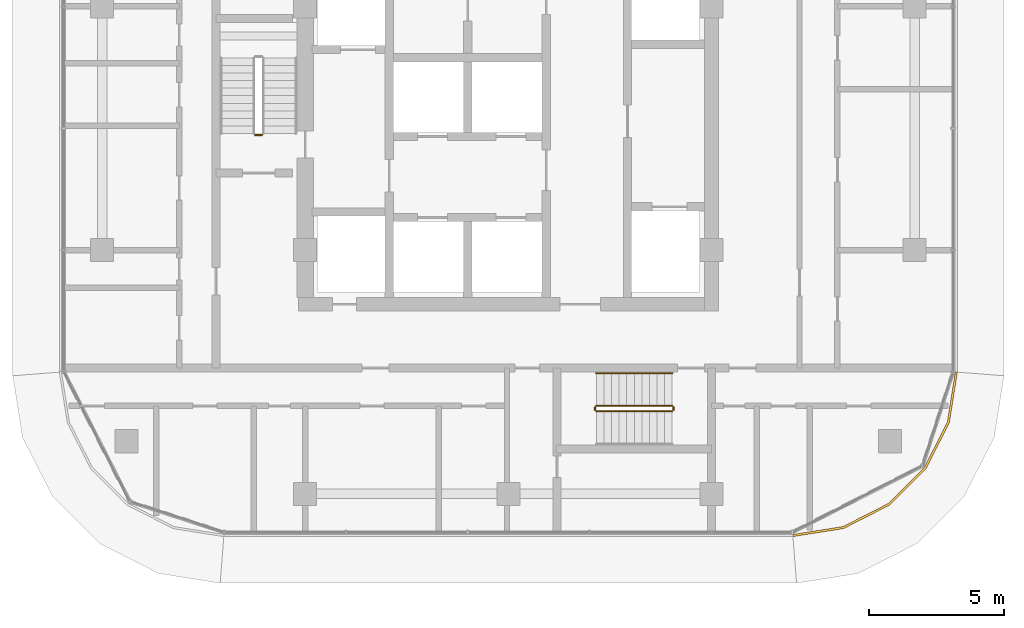
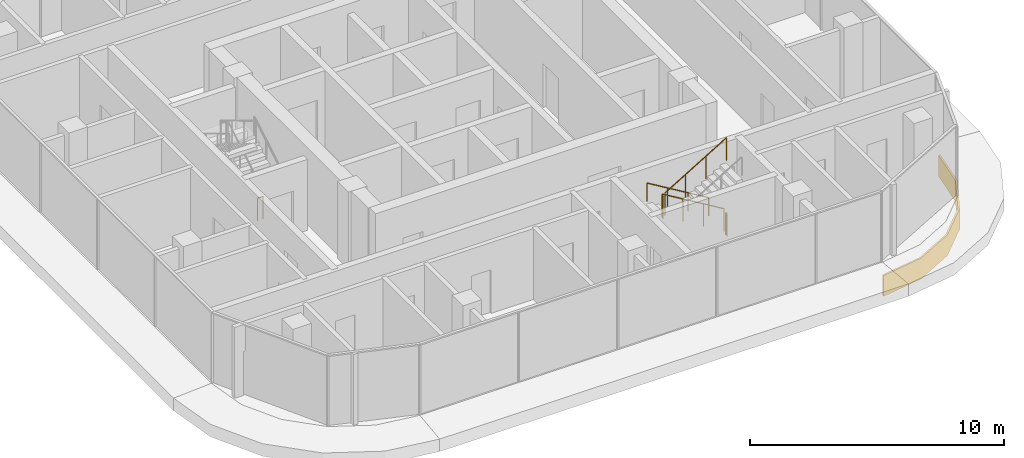
# One storey, part 35 of 36: 6 railings, 1 covering.
"""IFC4 building model written with IfcOpenShell, lengths in metres."""

import ifcopenshell
import ifcopenshell.guid

model = None  # the IFC model being written
_history = None  # IfcOwnerHistory: only IFC2X3 demands one
_inside = {}  # id of a spatial element -> (the spatial element, [elements in it])
_under = {}  # id of a project, library or spatial element -> (it, [spatial elements below it])
_declared = {}  # id of a project -> (the project, [libraries it declares])
_typed = {}  # id of a type object -> (the type object, [elements of that type])
_made_of = {}  # id of a material, layer set ... -> (it, [elements and type objects made of it])


def new_model(schema):
    """Start an empty IFC model of exactly this schema.

    Asked for "IFC4X3", IfcOpenShell would pick the latest addendum, in which some entities
    have other attributes; the version numbers below select the first issue.
    IFC2X3 requires an IfcOwnerHistory on every rooted entity: one is made here for all.
    """
    global model, _history
    if schema == "IFC4X3":
        model = ifcopenshell.file(schema_version=(4, 3, 0, 0))
    else:
        model = ifcopenshell.file(schema=schema)
    _inside.clear()
    _under.clear()
    _declared.clear()
    _typed.clear()
    _made_of.clear()
    _history = None
    if model.schema == "IFC2X3":
        org = make("IfcOrganization", Name="unknown")
        user = make(
            "IfcPersonAndOrganization",
            ThePerson=make("IfcPerson", FamilyName="unknown"),
            TheOrganization=org,
        )
        app = make(
            "IfcApplication",
            ApplicationDeveloper=org,
            Version="unknown",
            ApplicationFullName="unknown",
            ApplicationIdentifier="unknown",
        )
        _history = make(
            "IfcOwnerHistory",
            OwningUser=user,
            OwningApplication=app,
            ChangeAction="ADDED",
            CreationDate=0,
        )
    return model


def make(cls, **values):
    """One entity of the class cls with the attributes given. An attribute that is None is left unset."""
    return model.create_entity(
        cls, **{name: value for name, value in values.items() if value is not None}
    )


def rooted(cls, **values):
    """An entity with a GlobalId (a new one), such as an element, a storey or a relation."""
    return make(cls, GlobalId=ifcopenshell.guid.new(), OwnerHistory=_history, **values)


def si_unit(unit_type, name, prefix=None):
    """IfcSIUnit, for example si_unit("LENGTHUNIT", "METRE", prefix="MILLI")."""
    return make("IfcSIUnit", UnitType=unit_type, Prefix=prefix, Name=name)


def assignment(units):
    """IfcUnitAssignment: the units of a project."""
    return None if units is None else make("IfcUnitAssignment", Units=units)


def point(xyz):
    """IfcCartesianPoint."""
    return None if xyz is None else make("IfcCartesianPoint", Coordinates=xyz)


def direction(xyz):
    """IfcDirection."""
    return None if xyz is None else make("IfcDirection", DirectionRatios=xyz)


def frame(location, z_axis=None, x_axis=None):
    """IfcAxis2Placement3D, a coordinate frame: its origin and axes. An axis left out is left unset."""
    return make(
        "IfcAxis2Placement3D",
        Location=point(location),
        Axis=direction(z_axis),
        RefDirection=direction(x_axis),
    )


def frame_2d(location, x_axis=None):
    """IfcAxis2Placement2D, a coordinate frame in the plane: its origin and x axis."""
    return make(
        "IfcAxis2Placement2D", Location=point(location), RefDirection=direction(x_axis)
    )


def origin():
    """The frame at (0, 0, 0) with its axes left unset."""
    return frame((0.0, 0.0, 0.0))


def origin_2d():
    """The frame at (0, 0) in the plane with its x axis left unset."""
    return frame_2d((0.0, 0.0))


def place(relative_to, where):
    """IfcLocalPlacement: puts the frame where relative to a parent placement (None: the world)."""
    return make(
        "IfcLocalPlacement", PlacementRelTo=relative_to, RelativePlacement=where
    )


def context(
    kind, dimensions, precision=None, world=None, true_north=None, identifier=None
):
    """IfcGeometricRepresentationContext, for example the 3D "Model" context."""
    return make(
        "IfcGeometricRepresentationContext",
        ContextIdentifier=identifier,
        ContextType=kind,
        CoordinateSpaceDimension=dimensions,
        Precision=precision,
        WorldCoordinateSystem=world,
        TrueNorth=true_north,
    )


def subcontext(parent, identifier, kind, view, scale=None):
    """IfcGeometricRepresentationSubContext, for example "Body" below "Model"."""
    return make(
        "IfcGeometricRepresentationSubContext",
        ContextIdentifier=identifier,
        ContextType=kind,
        ParentContext=parent,
        TargetScale=scale,
        TargetView=view,
    )


def project(units=None, contexts=None):
    """IfcProject with its units and contexts."""
    return rooted(
        "IfcProject",
        Name="project",
        RepresentationContexts=contexts,
        UnitsInContext=assignment(units),
    )


def spatial(cls, under=None, at=None, **own):
    """A site, building, storey or space (cls), placed at a placement, below another one or the project."""
    s = rooted(cls, ObjectPlacement=at, **own)
    if under is not None:
        _under.setdefault(under.id(), (under, []))[1].append(s)
    return s


def polyline(points):
    """IfcPolyline through the points."""
    return make("IfcPolyline", Points=[point(p) for p in points])


def profile(cls, at=None, kind="AREA", **sizes):
    """A parametric profile (cls). Its sizes go by their IFC names, for example OverallWidth=200.0."""
    return make(cls, ProfileType=kind, Position=at, **sizes)


def circle(**sizes):
    """IfcCircleProfileDef."""
    return profile("IfcCircleProfileDef", **sizes)


def outline(outer, holes=None, kind="AREA"):
    """IfcArbitraryClosedProfileDef: a profile drawn as a closed curve; with holes, ...WithVoids."""
    if holes is None:
        return make("IfcArbitraryClosedProfileDef", ProfileType=kind, OuterCurve=outer)
    return make(
        "IfcArbitraryProfileDefWithVoids",
        ProfileType=kind,
        OuterCurve=outer,
        InnerCurves=holes,
    )


def extrude(swept, where, along, depth):
    """IfcExtrudedAreaSolid: the profile swept, set in the frame where, extruded along a direction by depth."""
    return make(
        "IfcExtrudedAreaSolid",
        SweptArea=swept,
        Position=where,
        ExtrudedDirection=direction(along),
        Depth=depth,
    )


def shape(context_of_items, identifier, shape_type, items):
    """IfcShapeRepresentation: the items that make up one representation, for example the "Body"."""
    return make(
        "IfcShapeRepresentation",
        ContextOfItems=context_of_items,
        RepresentationIdentifier=identifier,
        RepresentationType=shape_type,
        Items=items,
    )


def material(Name=None, Category=None):
    """IfcMaterial."""
    return make("IfcMaterial", Name=Name, Category=Category)


def layer(
    of_material, thickness, ventilated=None, Name=None, Category=None, Priority=None
):
    """IfcMaterialLayer: one layer of a wall or slab, of a material (None: an air gap)."""
    return make(
        "IfcMaterialLayer",
        Material=of_material,
        LayerThickness=thickness,
        IsVentilated=ventilated,
        Name=Name,
        Category=Category,
        Priority=Priority,
    )


def layer_set(layers, Name=None):
    """IfcMaterialLayerSet."""
    return make("IfcMaterialLayerSet", MaterialLayers=layers, LayerSetName=Name)


def made_of(thing, what):
    """Note that an element or type object is made of a material, layer set ...; save() writes the relation."""
    if what is not None:
        _made_of.setdefault(what.id(), (what, []))[1].append(thing)
    return thing


def type_object(cls, material=None, **own):
    """A type object (cls), such as IfcWallType, which elements share."""
    return made_of(rooted(cls, **own), material)


def element(
    cls,
    number,
    at=None,
    inside=None,
    cuts=None,
    type_object=None,
    material=None,
    context=None,
    identifier="Body",
    shape_type=None,
    held_by="IfcProductDefinitionShape",
    body=None,
    shapes=None,
    **own,
):
    """One element of the class cls, such as IfcWall. Its Tag is "e" and its number.

    at: its placement. inside: the storey or other place that contains it. cuts: it is an
    opening in that element (IfcRelVoidsElement). A single representation is given by context,
    identifier, shape_type and body (its items); several are given by shapes. held_by: the class
    of the entity that holds the representations. save() writes the other relations.
    """
    e = rooted(cls, Tag="e%d" % number, ObjectPlacement=at, **own)
    if body is not None:
        shapes = [shape(context, identifier, shape_type, body)]
    if shapes is not None:
        e.Representation = make(held_by, Representations=shapes)
    if inside is not None:
        _inside.setdefault(inside.id(), (inside, []))[1].append(e)
    if cuts is not None:
        rooted(
            "IfcRelVoidsElement", RelatingBuildingElement=cuts, RelatedOpeningElement=e
        )
    if type_object is not None:
        _typed.setdefault(type_object.id(), (type_object, []))[1].append(e)
    return made_of(e, material)


def aggregate(whole, parts):
    """IfcRelAggregates: a whole, such as a stair, and the parts it consists of."""
    return rooted("IfcRelAggregates", RelatingObject=whole, RelatedObjects=parts)


def save(model, path):
    """Write the relations noted so far, then the file.

    IfcRelAggregates (storeys below a building ...), IfcRelContainedInSpatialStructure (elements
    in a storey), IfcRelDefinesByType, IfcRelAssociatesMaterial and IfcRelDeclares: one each for
    every whole, place, type object, material and project.
    """
    for whole, parts in _under.values():
        aggregate(whole, parts)
    for where, things in _inside.values():
        rooted(
            "IfcRelContainedInSpatialStructure",
            RelatedElements=things,
            RelatingStructure=where,
        )
    for kind, things in _typed.values():
        rooted("IfcRelDefinesByType", RelatedObjects=things, RelatingType=kind)
    for what, things in _made_of.values():
        rooted("IfcRelAssociatesMaterial", RelatedObjects=things, RelatingMaterial=what)
    for by, libraries in _declared.values():
        rooted("IfcRelDeclares", RelatingContext=by, RelatedDefinitions=libraries)
    model.write(path)


model = new_model("IFC4")

# Units and contexts
model_context = context("Model", 3, precision=1e-05, world=origin(), true_north=direction((0.0, 1.0)))
body_context = subcontext(model_context, "Body", "Model", "MODEL_VIEW")
ifc_project = project(units=[si_unit("LENGTHUNIT", "METRE"), si_unit("AREAUNIT", "SQUARE_METRE"), si_unit("VOLUMEUNIT", "CUBIC_METRE"), si_unit("PLANEANGLEUNIT", "RADIAN"), si_unit("MASSUNIT", "GRAM", prefix="KILO")], contexts=[model_context])

# Site, building, storey
site_placement = place(None, origin())
site = spatial("IfcSite", under=ifc_project, at=site_placement, CompositionType="ELEMENT")
building_placement = place(site_placement, origin())
building = spatial("IfcBuilding", under=site, at=building_placement, Name="Ogive Portal Towers", CompositionType="ELEMENT")
storey_placement = place(building_placement, frame((0.0, 0.0, 70.5)))
storey = spatial("IfcBuildingStorey", under=building, at=storey_placement, Name="L16", CompositionType="ELEMENT", Elevation=70.5)

# Railings
ifc_material_1 = material(Name="Stainless steel balustrade", Category="steel")
railing_type_1 = type_object("IfcRailingType", Name="INT-GUARD", PredefinedType="GUARDRAIL", material=ifc_material_1)
railing_1_placement = place(storey_placement, frame((127.39990234375, 30.75, 0.0)))
element("IfcRailing", 1, at=railing_1_placement, inside=storey, type_object=railing_type_1, Name="L16 ST-B1 stair guard 4", PredefinedType="GUARDRAIL", context=body_context, shape_type="SweptSolid", body=[
    extrude(circle(Radius=0.02392578125, at=origin_2d()), frame((0.0, 0.0, 1.076171875), z_axis=(-1.0, 0.0, 0.0), x_axis=(0.0, -1.0, 0.0)), (0.0, 0.0, 1.0), 0.25),
    extrude(circle(Radius=0.02099609375, at=origin_2d()), origin(), (0.0, 0.0, 1.0), 1.052001953125),
    extrude(circle(Radius=0.02099609375, at=origin_2d()), frame((-0.25, 0.0, 0.0)), (0.0, 0.0, 1.0), 1.052001953125),
])
railing_2_placement = place(storey_placement, frame((142.550048828125, 20.75, 0.168212890625)))
element("IfcRailing", 2, at=railing_2_placement, inside=storey, type_object=railing_type_1, Name="L16 ST-B2 stair guard 1", PredefinedType="GUARDRAIL", context=body_context, shape_type="SweptSolid", body=[
    extrude(circle(Radius=0.02392578125, at=origin_2d()), frame((0.0, 0.0, 1.076171875), z_axis=(-0.857242210791, 0.0, 0.514913383045), x_axis=(0.0, -1.0, 0.0)), (0.0, 0.0, 1.0), 3.266357421875),
    extrude(circle(Radius=0.02099609375, at=origin_2d()), origin(), (0.0, 0.0, 1.0), 1.052001953125),
    extrude(circle(Radius=0.02099609375, at=origin_2d()), frame((-0.933349609375, 0.0, 0.560546875)), (0.0, 0.0, 1.0), 1.052001953125),
    extrude(circle(Radius=0.02099609375, at=origin_2d()), frame((-1.86669921875, 0.0, 1.121337890625)), (0.0, 0.0, 1.0), 1.052001953125),
    extrude(circle(Radius=0.02099609375, at=origin_2d()), frame((-2.800048828125, 0.0, 1.681884765625)), (0.0, 0.0, 1.0), 1.052001953125),
])
railing_3_placement = place(storey_placement, frame((139.699951171875, 20.699951171875, 1.85009765625)))
element("IfcRailing", 3, at=railing_3_placement, inside=storey, type_object=railing_type_1, Name="L16 ST-B2 stair guard 2", PredefinedType="GUARDRAIL", context=body_context, shape_type="SweptSolid", body=[
    extrude(circle(Radius=0.02392578125, at=origin_2d()), frame((0.0, 0.0, 1.076171875), z_axis=(0.0, -1.0, 0.0), x_axis=(1.0, 0.0, 0.0)), (0.0, 0.0, 1.0), 0.099853515625),
    extrude(circle(Radius=0.02099609375, at=origin_2d()), origin(), (0.0, 0.0, 1.0), 1.052001953125),
    extrude(circle(Radius=0.02099609375, at=origin_2d()), frame((0.0, -0.099853515625, 0.0)), (0.0, 0.0, 1.0), 1.052001953125),
])
railing_4_placement = place(storey_placement, frame((139.75, 20.550048828125, 2.01806640625)))
element("IfcRailing", 4, at=railing_4_placement, inside=storey, type_object=railing_type_1, Name="L16 ST-B2 stair guard 3", PredefinedType="GUARDRAIL", context=body_context, shape_type="SweptSolid", body=[
    extrude(circle(Radius=0.02392578125, at=origin_2d()), frame((0.0, 0.0, 1.076171875), z_axis=(0.857242210791, 0.0, 0.514913383045), x_axis=(0.0, 1.0, 0.0)), (0.0, 0.0, 1.0), 3.266357421875),
    extrude(circle(Radius=0.02099609375, at=origin_2d()), origin(), (0.0, 0.0, 1.0), 1.052001953125),
    extrude(circle(Radius=0.02099609375, at=origin_2d()), frame((0.933349609375, 0.0, 0.560546875)), (0.0, 0.0, 1.0), 1.052001953125),
    extrude(circle(Radius=0.02099609375, at=origin_2d()), frame((1.86669921875, 0.0, 1.121337890625)), (0.0, 0.0, 1.0), 1.052001953125),
    extrude(circle(Radius=0.02099609375, at=origin_2d()), frame((2.800048828125, 0.0, 1.681884765625)), (0.0, 0.0, 1.0), 1.052001953125),
])
railing_5_placement = place(storey_placement, frame((142.60009765625, 20.699951171875, 0.0)))
element("IfcRailing", 5, at=railing_5_placement, inside=storey, type_object=railing_type_1, Name="L16 ST-B2 stair guard 4", PredefinedType="GUARDRAIL", context=body_context, shape_type="SweptSolid", body=[
    extrude(circle(Radius=0.02392578125, at=origin_2d()), frame((0.0, 0.0, 1.076171875), z_axis=(0.0, -1.0, 0.0), x_axis=(1.0, 0.0, 0.0)), (0.0, 0.0, 1.0), 0.099853515625),
    extrude(circle(Radius=0.02099609375, at=origin_2d()), origin(), (0.0, 0.0, 1.0), 1.052001953125),
    extrude(circle(Radius=0.02099609375, at=origin_2d()), frame((0.0, -0.099853515625, 0.0)), (0.0, 0.0, 1.0), 1.052001953125),
])
ifc_material_2 = material(Name="Stainless steel handrail", Category="steel")
railing_type_2 = type_object("IfcRailingType", Name="INT-HANDRAIL", PredefinedType="HANDRAIL", material=ifc_material_2)
railing_6_placement = place(storey_placement, frame((142.550048828125, 21.949951171875, 0.168212890625)))
element("IfcRailing", 6, at=railing_6_placement, inside=storey, type_object=railing_type_2, Name="L16 ST-B2 stair handrail 1", PredefinedType="HANDRAIL", context=body_context, shape_type="SweptSolid", body=[
    extrude(circle(Radius=0.02392578125, at=origin_2d()), frame((0.0, 0.0, 0.8759765625), z_axis=(-0.857242210791, 0.0, 0.514913383045), x_axis=(0.0, -1.0, 0.0)), (0.0, 0.0, 1.0), 3.266357421875),
    extrude(circle(Radius=0.02099609375, at=origin_2d()), origin(), (0.0, 0.0, 1.0), 0.851806640625),
    extrude(circle(Radius=0.02099609375, at=origin_2d()), frame((-0.933349609375, 0.0, 0.560546875)), (0.0, 0.0, 1.0), 0.851806640625),
    extrude(circle(Radius=0.02099609375, at=origin_2d()), frame((-1.86669921875, 0.0, 1.121337890625)), (0.0, 0.0, 1.0), 0.851806640625),
    extrude(circle(Radius=0.02099609375, at=origin_2d()), frame((-2.800048828125, 0.0, 1.681884765625)), (0.0, 0.0, 1.0), 0.851806640625),
])

# Covering
ifc_material_3 = material(Name="Limestone cladding on lightweight block wall", Category="masonry")
ifc_layer = layer(ifc_material_3, 0.080078125)
ifc_layer_set = layer_set([ifc_layer], Name="STONE SPANDREL 80")
covering_type = type_object("IfcCoveringType", Name="STONE SPANDREL 80", PredefinedType="CLADDING", material=ifc_layer_set)
covering_placement = place(storey_placement, frame((0.0, 0.0, -1.60009765625)))
element("IfcCovering", 7, at=covering_placement, inside=storey, type_object=covering_type, Name="Stone spandrel B1-F03", PredefinedType="CLADDING", context=body_context, shape_type="SweptSolid", body=[
    extrude(outline(polyline([(147.0, 16.0), (148.85400390625, 16.293701171875), (150.526611328125, 17.14599609375), (151.85400390625, 18.473388671875), (152.706298828125, 20.14599609375), (153.0, 22.0), (153.080078125, 21.99365234375), (152.783447265625, 20.120849609375), (151.919677734375, 18.42578125), (150.57421875, 17.080322265625), (148.879150390625, 16.216552734375), (147.00634765625, 15.919921875), (147.0, 16.0)])), origin(), (0.0, 0.0, 1.0), 1.0),
])

save(model, "model.ifc")
